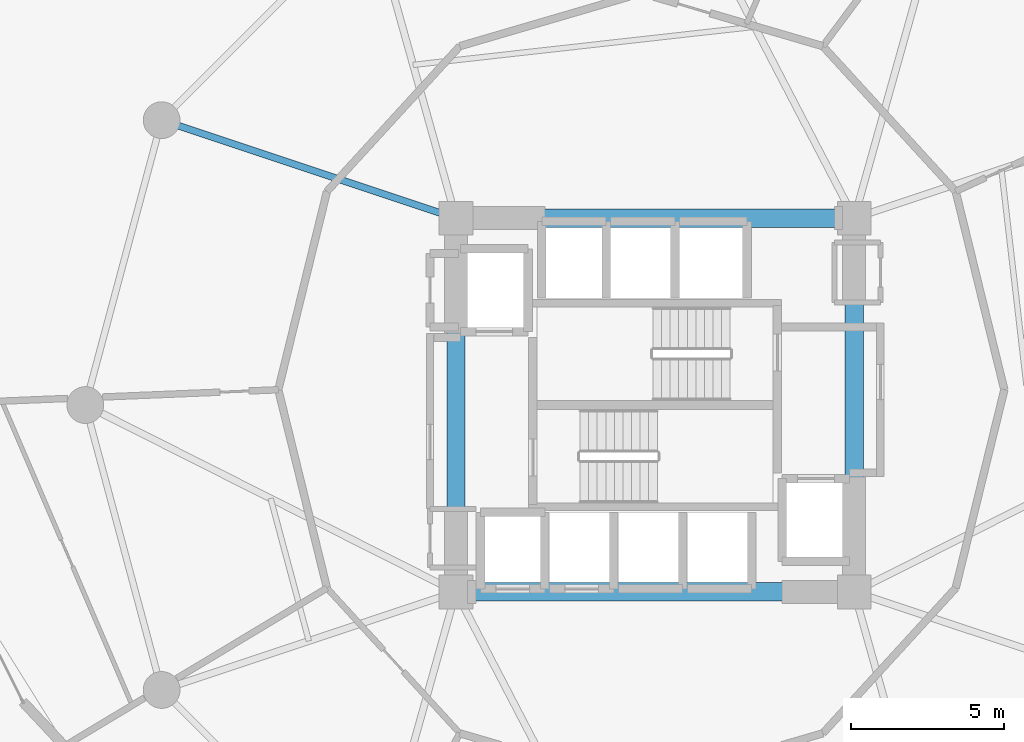
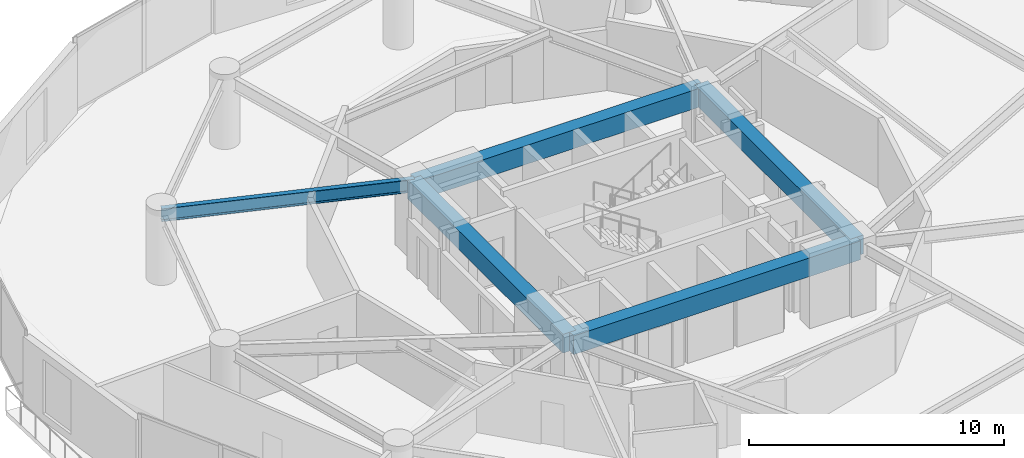
# One storey, part 7 of 24: 5 beams.
"""IFC4 building model written with IfcOpenShell, lengths in metres."""

from ifc_helpers import new_model, si_unit, direction, frame, origin, origin_2d, place, context, subcontext, project, spatial, rectangle, i_section, extrude, material, material_profile, profile_set, type_object, element, save


model = new_model("IFC4")

# Units and contexts
model_context = context("Model", 3, precision=1e-05, world=origin(), true_north=direction((0.0, 1.0)))
body_context = subcontext(model_context, "Body", "Model", "MODEL_VIEW")
ifc_project = project(units=[si_unit("LENGTHUNIT", "METRE"), si_unit("AREAUNIT", "SQUARE_METRE"), si_unit("VOLUMEUNIT", "CUBIC_METRE"), si_unit("PLANEANGLEUNIT", "RADIAN"), si_unit("MASSUNIT", "GRAM", prefix="KILO")], contexts=[model_context])

# Site, building, storey
site_placement = place(None, origin())
site = spatial("IfcSite", under=ifc_project, at=site_placement, CompositionType="ELEMENT")
building_placement = place(site_placement, origin())
building = spatial("IfcBuilding", under=site, at=building_placement, Name="Solvirekh Grand Hotel", CompositionType="ELEMENT")
storey_placement = place(building_placement, frame((0.0, 0.0, 86.0)))
storey = spatial("IfcBuildingStorey", under=building, at=storey_placement, Name="L21", CompositionType="ELEMENT", Elevation=86.0)

# Beams
ifc_material_1 = material(Name="Concrete C50/60", Category="concrete")
ifc_material_profile_1 = material_profile(ifc_material_1, rectangle(XDim=0.60009765625, YDim=0.89990234375, at=origin_2d()), Name="RC BEAM 600X900")
ifc_profile_set_1 = profile_set([ifc_material_profile_1], Name="Concrete C50/60")
beam_type_1 = type_object("IfcBeamType", Name="Beam_Core_RC900", PredefinedType="BEAM", material=ifc_profile_set_1)
beam_1_placement = place(storey_placement, frame((-6.5, -6.10009765625, 2.889892578125), z_axis=(1.0, 0.0, 0.0), x_axis=(0.0, 1.0, 0.0)))
element("IfcBeam", 1, at=beam_1_placement, inside=storey, type_object=beam_type_1, Name="L21 core coupling ring beam 1", PredefinedType="BEAM", context=body_context, shape_type="SweptSolid", body=[
    extrude(rectangle(XDim=0.60009765625, YDim=0.89990234375, at=origin_2d()), origin(), (0.0, 0.0, 1.0), 13.0),
])
beam_2_placement = place(storey_placement, frame((6.5, -6.10009765625, 2.889892578125), z_axis=(0.0, 1.0, 0.0), x_axis=(-1.0, 0.0, 0.0)))
element("IfcBeam", 2, at=beam_2_placement, inside=storey, type_object=beam_type_1, Name="L21 core coupling ring beam 2", PredefinedType="BEAM", context=body_context, shape_type="SweptSolid", body=[
    extrude(rectangle(XDim=0.60009765625, YDim=0.89990234375, at=origin_2d()), origin(), (0.0, 0.0, 1.0), 12.2001953125),
])
beam_3_placement = place(storey_placement, frame((6.5, 6.10009765625, 2.889892578125), z_axis=(-1.0, 0.0, 0.0), x_axis=(0.0, -1.0, 0.0)))
element("IfcBeam", 3, at=beam_3_placement, inside=storey, type_object=beam_type_1, Name="L21 core coupling ring beam 3", PredefinedType="BEAM", context=body_context, shape_type="SweptSolid", body=[
    extrude(rectangle(XDim=0.60009765625, YDim=0.89990234375, at=origin_2d()), origin(), (0.0, 0.0, 1.0), 13.0),
])
beam_4_placement = place(storey_placement, frame((-6.5, 6.10009765625, 2.889892578125), z_axis=(0.0, -1.0, 0.0), x_axis=(1.0, 0.0, 0.0)))
element("IfcBeam", 4, at=beam_4_placement, inside=storey, type_object=beam_type_1, Name="L21 core coupling ring beam 4", PredefinedType="BEAM", context=body_context, shape_type="SweptSolid", body=[
    extrude(rectangle(XDim=0.60009765625, YDim=0.89990234375, at=origin_2d()), origin(), (0.0, 0.0, 1.0), 12.2001953125),
])
ifc_material_2 = material(Name="Steel S355", Category="steel")
ifc_material_profile_2 = material_profile(ifc_material_2, i_section(OverallWidth=0.22802734375, OverallDepth=0.616943359375, WebThickness=0.012939453125, FlangeThickness=0.02001953125, FilletRadius=0.014892578125, at=origin_2d()), Name="W610X140")
ifc_profile_set_2 = profile_set([ifc_material_profile_2], Name="Steel S355")
beam_type_2 = type_object("IfcBeamType", Name="Beam_Radial_W610", PredefinedType="BEAM", material=ifc_profile_set_2)
beam_5_placement = place(storey_placement, frame((-6.5, 6.10009765625, 3.031982421875), z_axis=(-0.948762825819, 0.315989082635, 0.0), x_axis=(-0.315989082635, -0.948762825819, 0.0)))
element("IfcBeam", 5, at=beam_5_placement, inside=storey, type_object=beam_type_2, Name="L21 radial floor beam R06", PredefinedType="BEAM", context=body_context, shape_type="SweptSolid", body=[
    extrude(i_section(OverallWidth=0.22802734375, OverallDepth=0.616943359375, WebThickness=0.012939453125, FlangeThickness=0.02001953125, FilletRadius=0.014892578125, at=origin_2d()), origin(), (0.0, 0.0, 1.0), 10.126708984375),
])

save(model, "model.ifc")
